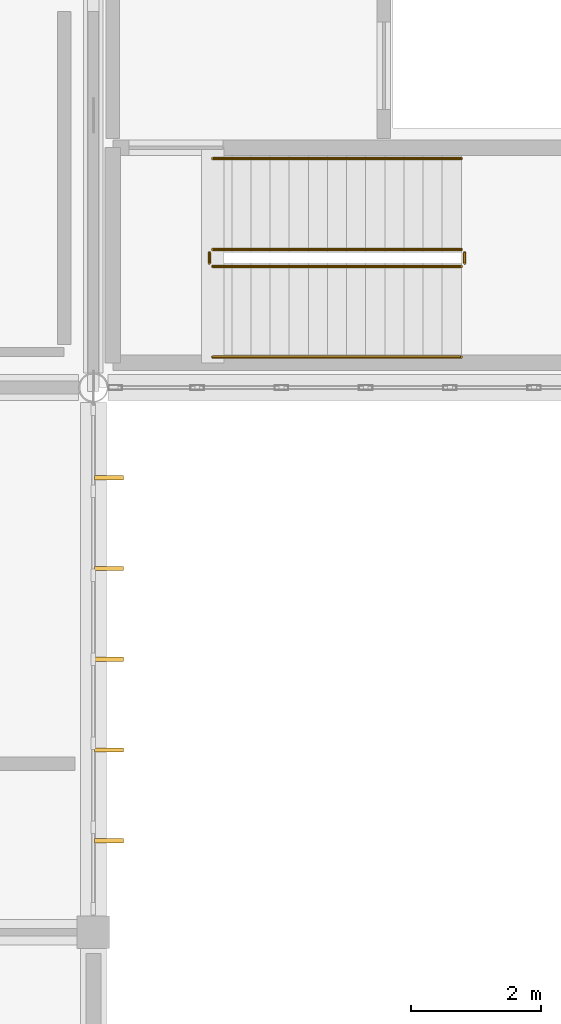
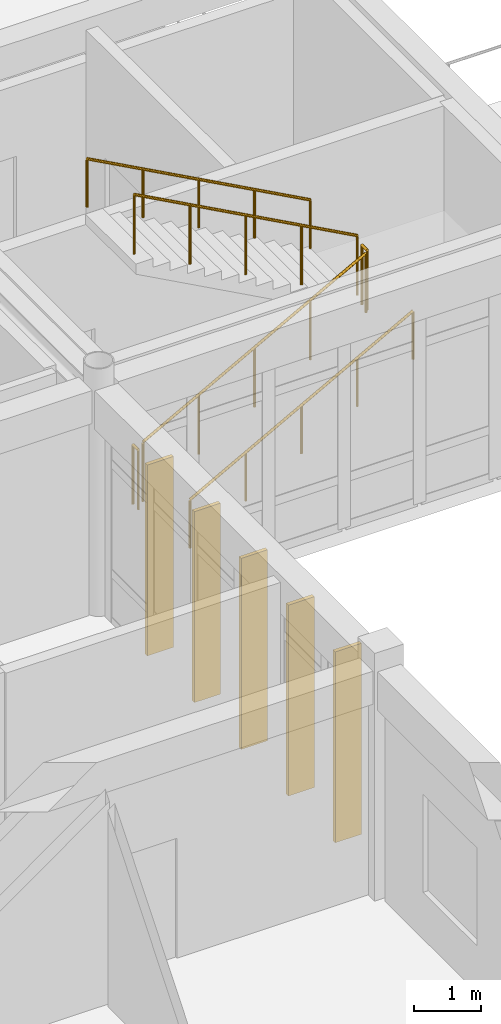
# One storey, part 125 of 144: 6 railings, 5 shading devices.
"""IFC4 building model written with IfcOpenShell, lengths in metres."""

from ifc_helpers import new_model, si_unit, direction, frame, origin, origin_2d, place, context, subcontext, project, spatial, rectangle, circle, extrude, material, material_profile, profile_set, type_object, element, save


model = new_model("IFC4")

# Units and contexts
model_context = context("Model", 3, precision=1e-05, world=origin(), true_north=direction((0.0, 1.0)))
body_context = subcontext(model_context, "Body", "Model", "MODEL_VIEW")
ifc_project = project(units=[si_unit("LENGTHUNIT", "METRE"), si_unit("AREAUNIT", "SQUARE_METRE"), si_unit("VOLUMEUNIT", "CUBIC_METRE"), si_unit("PLANEANGLEUNIT", "RADIAN"), si_unit("MASSUNIT", "GRAM", prefix="KILO")], contexts=[model_context])

# Site, building, storey
site_placement = place(None, origin())
site = spatial("IfcSite", under=ifc_project, at=site_placement, CompositionType="ELEMENT")
building_placement = place(site_placement, origin())
building = spatial("IfcBuilding", under=site, at=building_placement, Name="Bramfleet General Hospital", CompositionType="ELEMENT")
storey_placement = place(building_placement, frame((0.0, 0.0, 4.800048828125)))
storey = spatial("IfcBuildingStorey", under=building, at=storey_placement, Name="L01", CompositionType="ELEMENT", Elevation=4.800048828125)

# Railings
ifc_material_1 = material(Name="Powder-coated steel stair balustrade", Category="steel")
railing_type_1 = type_object("IfcRailingType", Name="RAIL-ST-GUARD", PredefinedType="GUARDRAIL", material=ifc_material_1)
railing_1_placement = place(storey_placement, frame((52.239990234375, 18.669921875, 0.16064453125)))
element("IfcRailing", 1, at=railing_1_placement, inside=storey, type_object=railing_type_1, Name="L01 ST-C1 stair guard 1", PredefinedType="GUARDRAIL", context=body_context, shape_type="SweptSolid", body=[
    extrude(circle(Radius=0.02392578125, at=origin_2d()), frame((0.0, 0.0, 1.076171875), z_axis=(0.878130475078, 0.0, 0.478421225218), x_axis=(0.0, 1.0, 0.0)), (0.0, 0.0, 1.0), 4.3671875),
    extrude(circle(Radius=0.02099609375, at=origin_2d()), origin(), (0.0, 0.0, 1.0), 1.052001953125),
    extrude(circle(Radius=0.02099609375, at=origin_2d()), frame((0.958740234375, 0.0, 0.5224609375)), (0.0, 0.0, 1.0), 1.052001953125),
    extrude(circle(Radius=0.02099609375, at=origin_2d()), frame((1.91748046875, 0.0, 1.044677734375)), (0.0, 0.0, 1.0), 1.052001953125),
    extrude(circle(Radius=0.02099609375, at=origin_2d()), frame((2.876220703125, 0.0, 1.56689453125)), (0.0, 0.0, 1.0), 1.052001953125),
    extrude(circle(Radius=0.02099609375, at=origin_2d()), frame((3.8349609375, 0.0, 2.08935546875)), (0.0, 0.0, 1.0), 1.052001953125),
])
railing_2_placement = place(storey_placement, frame((56.125, 18.719970703125, 2.25)))
element("IfcRailing", 2, at=railing_2_placement, inside=storey, type_object=railing_type_1, Name="L01 ST-C1 stair guard 2", PredefinedType="GUARDRAIL", context=body_context, shape_type="SweptSolid", body=[
    extrude(circle(Radius=0.02392578125, at=origin_2d()), frame((0.0, 0.0, 1.076171875), z_axis=(0.0, 1.0, 0.0), x_axis=(-1.0, 0.0, 0.0)), (0.0, 0.0, 1.0), 0.159912109375),
    extrude(circle(Radius=0.02099609375, at=origin_2d()), origin(), (0.0, 0.0, 1.0), 1.052001953125),
    extrude(circle(Radius=0.02099609375, at=origin_2d()), frame((0.0, 0.159912109375, 0.0)), (0.0, 0.0, 1.0), 1.052001953125),
])
railing_3_placement = place(storey_placement, frame((56.074951171875, 18.929931640625, 2.41064453125)))
element("IfcRailing", 3, at=railing_3_placement, inside=storey, type_object=railing_type_1, Name="L01 ST-C1 stair guard 3", PredefinedType="GUARDRAIL", context=body_context, shape_type="SweptSolid", body=[
    extrude(circle(Radius=0.02392578125, at=origin_2d()), frame((0.0, 0.0, 1.076171875), z_axis=(-0.878130475078, 0.0, 0.478421225218), x_axis=(0.0, -1.0, 0.0)), (0.0, 0.0, 1.0), 4.3671875),
    extrude(circle(Radius=0.02099609375, at=origin_2d()), origin(), (0.0, 0.0, 1.0), 1.052001953125),
    extrude(circle(Radius=0.02099609375, at=origin_2d()), frame((-0.958740234375, 0.0, 0.5224609375)), (0.0, 0.0, 1.0), 1.052001953125),
    extrude(circle(Radius=0.02099609375, at=origin_2d()), frame((-1.91748046875, 0.0, 1.044677734375)), (0.0, 0.0, 1.0), 1.052001953125),
    extrude(circle(Radius=0.02099609375, at=origin_2d()), frame((-2.876220703125, 0.0, 1.56689453125)), (0.0, 0.0, 1.0), 1.052001953125),
    extrude(circle(Radius=0.02099609375, at=origin_2d()), frame((-3.8349609375, 0.0, 2.08935546875)), (0.0, 0.0, 1.0), 1.052001953125),
])
railing_4_placement = place(storey_placement, frame((52.18994140625, 18.719970703125, 0.0)))
element("IfcRailing", 4, at=railing_4_placement, inside=storey, type_object=railing_type_1, Name="L01 ST-C1 stair guard 4", PredefinedType="GUARDRAIL", context=body_context, shape_type="SweptSolid", body=[
    extrude(circle(Radius=0.02392578125, at=origin_2d()), frame((0.0, 0.0, 1.076171875), z_axis=(0.0, 1.0, 0.0), x_axis=(-1.0, 0.0, 0.0)), (0.0, 0.0, 1.0), 0.159912109375),
    extrude(circle(Radius=0.02099609375, at=origin_2d()), origin(), (0.0, 0.0, 1.0), 1.052001953125),
    extrude(circle(Radius=0.02099609375, at=origin_2d()), frame((0.0, 0.159912109375, 0.0)), (0.0, 0.0, 1.0), 1.052001953125),
])
ifc_material_2 = material(Name="Stainless steel 1.4301 stair handrail", Category="steel")
railing_type_2 = type_object("IfcRailingType", Name="RAIL-ST-HND", PredefinedType="HANDRAIL", material=ifc_material_2)
railing_5_placement = place(storey_placement, frame((52.239990234375, 17.27001953125, 0.16064453125)))
element("IfcRailing", 5, at=railing_5_placement, inside=storey, type_object=railing_type_2, Name="L01 ST-C1 stair handrail 1", PredefinedType="HANDRAIL", context=body_context, shape_type="SweptSolid", body=[
    extrude(circle(Radius=0.02392578125, at=origin_2d()), frame((0.0, 0.0, 0.8759765625), z_axis=(0.878130475078, 0.0, 0.478421225218), x_axis=(0.0, 1.0, 0.0)), (0.0, 0.0, 1.0), 4.3671875),
    extrude(circle(Radius=0.02099609375, at=origin_2d()), origin(), (0.0, 0.0, 1.0), 0.851806640625),
    extrude(circle(Radius=0.02099609375, at=origin_2d()), frame((0.958740234375, 0.0, 0.5224609375)), (0.0, 0.0, 1.0), 0.851806640625),
    extrude(circle(Radius=0.02099609375, at=origin_2d()), frame((1.91748046875, 0.0, 1.044677734375)), (0.0, 0.0, 1.0), 0.851806640625),
    extrude(circle(Radius=0.02099609375, at=origin_2d()), frame((2.876220703125, 0.0, 1.56689453125)), (0.0, 0.0, 1.0), 0.851806640625),
    extrude(circle(Radius=0.02099609375, at=origin_2d()), frame((3.8349609375, 0.0, 2.08935546875)), (0.0, 0.0, 1.0), 0.851806640625),
])
railing_6_placement = place(storey_placement, frame((56.074951171875, 20.330078125, 2.41064453125)))
element("IfcRailing", 6, at=railing_6_placement, inside=storey, type_object=railing_type_2, Name="L01 ST-C1 stair handrail 2", PredefinedType="HANDRAIL", context=body_context, shape_type="SweptSolid", body=[
    extrude(circle(Radius=0.02392578125, at=origin_2d()), frame((0.0, 0.0, 0.8759765625), z_axis=(-0.878130475078, 0.0, 0.478421225218), x_axis=(0.0, -1.0, 0.0)), (0.0, 0.0, 1.0), 4.3671875),
    extrude(circle(Radius=0.02099609375, at=origin_2d()), origin(), (0.0, 0.0, 1.0), 0.851806640625),
    extrude(circle(Radius=0.02099609375, at=origin_2d()), frame((-0.958740234375, 0.0, 0.5224609375)), (0.0, 0.0, 1.0), 0.851806640625),
    extrude(circle(Radius=0.02099609375, at=origin_2d()), frame((-1.91748046875, 0.0, 1.044677734375)), (0.0, 0.0, 1.0), 0.851806640625),
    extrude(circle(Radius=0.02099609375, at=origin_2d()), frame((-2.876220703125, 0.0, 1.56689453125)), (0.0, 0.0, 1.0), 0.851806640625),
    extrude(circle(Radius=0.02099609375, at=origin_2d()), frame((-3.8349609375, 0.0, 2.08935546875)), (0.0, 0.0, 1.0), 0.851806640625),
])

# Shading devices
ifc_material_3 = material(Name="Treated European larch timber", Category="wood")
ifc_material_profile = material_profile(ifc_material_3, rectangle(XDim=0.06494140625, YDim=0.449951171875, at=origin_2d()), Name="LARCH FIN 450x65")
ifc_profile_set = profile_set([ifc_material_profile], Name="Treated European larch timber")
shading_device_type = type_object("IfcShadingDeviceType", Name="SHD-FIN-450", PredefinedType="USERDEFINED", material=ifc_profile_set)
for number, where, z_axis, x_axis, name in (
    (7, (50.639892578125, 15.410888671875, -0.02001953125), (0.0, 0.0, 1.0), (0.0, -1.0, 0.0), "L01 Larch Timber Shading Fin 311"),
    (8, (50.639892578125, 14.010986328125, -0.02001953125), (0.0, 0.0, 1.0), (0.0, -1.0, 0.0), "L01 Larch Timber Shading Fin 312"),
    (9, (50.639892578125, 12.611083984375, -0.02001953125), (0.0, 0.0, 1.0), (0.0, -1.0, 0.0), "L01 Larch Timber Shading Fin 313"),
    (10, (50.639892578125, 11.2109375, -0.02001953125), (0.0, 0.0, 1.0), (0.0, -1.0, 0.0), "L01 Larch Timber Shading Fin 314"),
    (11, (50.639892578125, 9.81103515625, -0.02001953125), (0.0, 0.0, 1.0), (0.0, -1.0, 0.0), "L01 Larch Timber Shading Fin 315"),
):
    element("IfcShadingDevice", number, at=place(storey_placement, frame(where, z_axis=z_axis, x_axis=x_axis)), inside=storey, type_object=shading_device_type, Name=name, ObjectType="Fin", PredefinedType="USERDEFINED", context=body_context, shape_type="SweptSolid", body=[
        extrude(rectangle(XDim=0.06494140625, YDim=0.449951171875, at=origin_2d()), origin(), (0.0, 0.0, 1.0), 3.469970703125),
    ])

save(model, "model.ifc")
